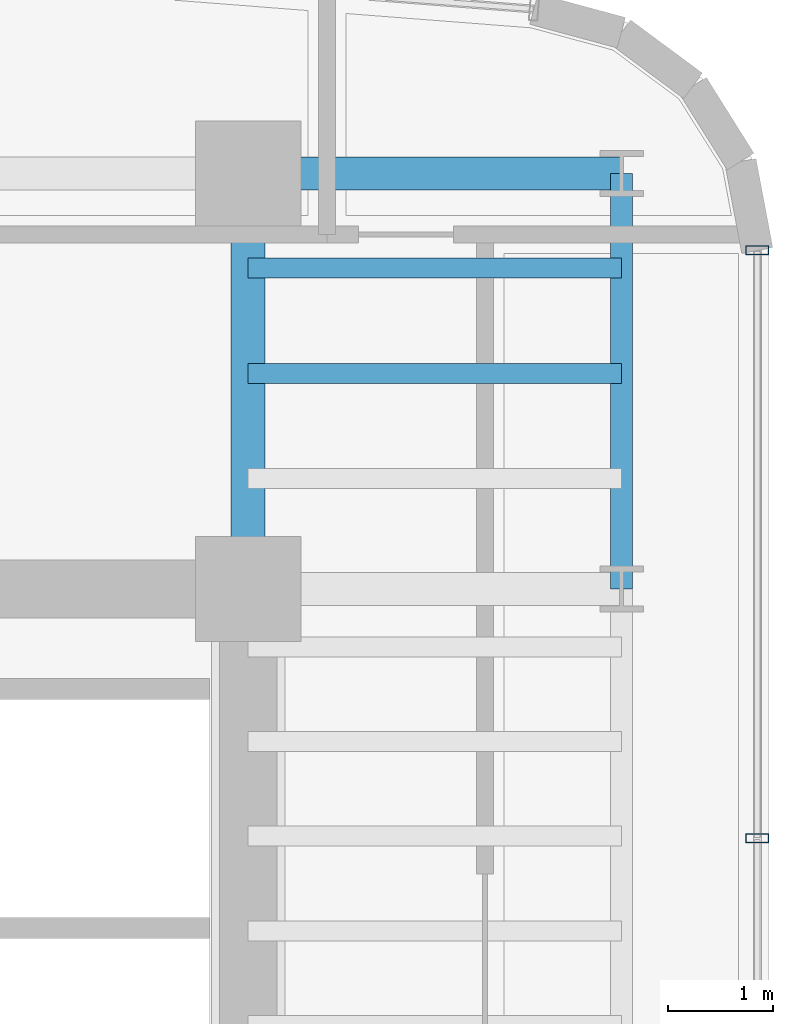
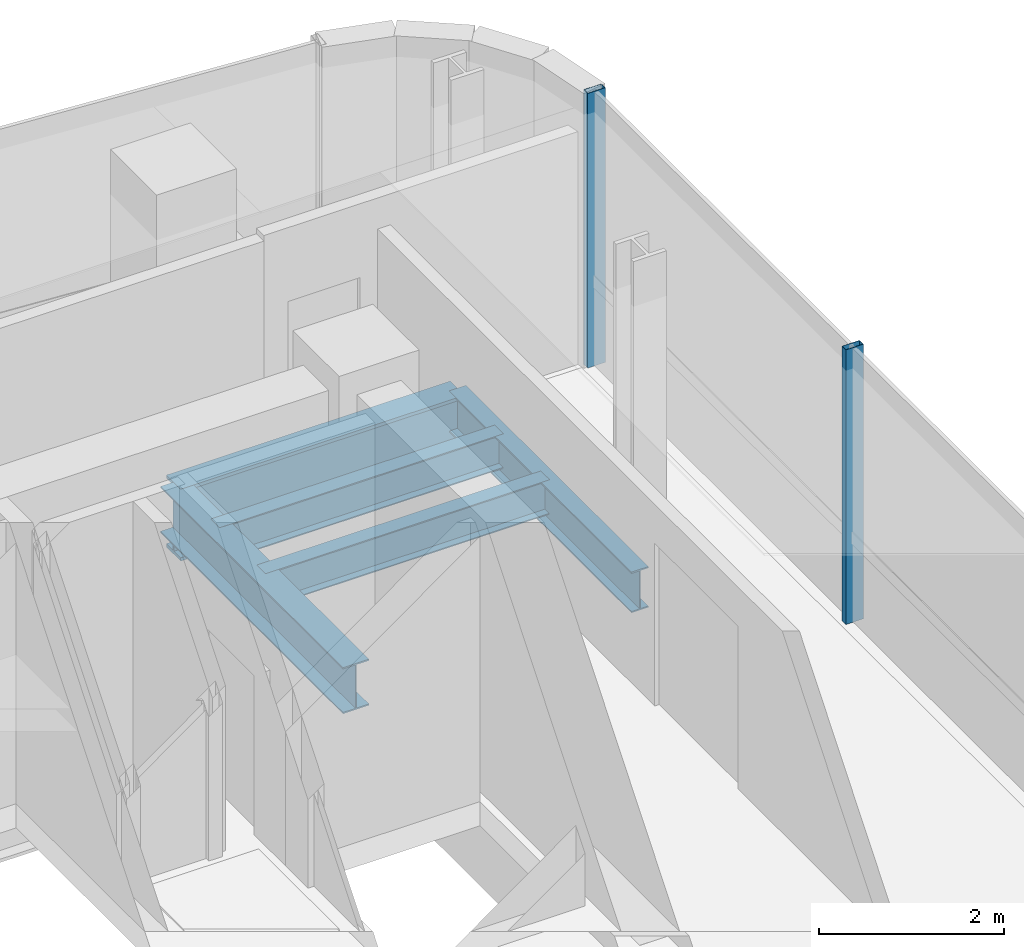
# One storey, part 17 of 39: 5 beams, 2 members, 1 element without a shape of its own.
"""IFC4 building model written with IfcOpenShell, lengths in metres."""

from ifc_helpers import new_model, si_unit, direction, frame, origin, origin_2d, place, context, subcontext, project, spatial, hollow_rectangle, i_section, extrude, source, transform, mapped, material, material_profile, profile_set, type_object, element, aggregate, save


model = new_model("IFC4")

# Units and contexts
model_context = context("Model", 3, precision=1e-05, world=origin(), true_north=direction((0.0, 1.0)))
body_context = subcontext(model_context, "Body", "Model", "MODEL_VIEW")
ifc_project = project(units=[si_unit("LENGTHUNIT", "METRE"), si_unit("AREAUNIT", "SQUARE_METRE"), si_unit("VOLUMEUNIT", "CUBIC_METRE"), si_unit("PLANEANGLEUNIT", "RADIAN"), si_unit("MASSUNIT", "GRAM", prefix="KILO")], contexts=[model_context])

# Site, building, storey
site_placement = place(None, origin())
site = spatial("IfcSite", under=ifc_project, at=site_placement, CompositionType="ELEMENT")
building_placement = place(site_placement, origin())
building = spatial("IfcBuilding", under=site, at=building_placement, Name="Valdorenza Pilgrim Sanctuary Tower", CompositionType="ELEMENT")
storey_placement = place(building_placement, frame((0.0, 0.0, 184.449951171875)))
storey = spatial("IfcBuildingStorey", under=building, at=storey_placement, Name="L47", CompositionType="ELEMENT", Elevation=184.449951171875)

# Beams
ifc_material_1 = material(Name="Steel ASTM A992 Grade 50", Category="steel")
ifc_material_profile_1 = material_profile(ifc_material_1, i_section(OverallWidth=0.323974609375, OverallDepth=0.611083984375, WebThickness=0.0126953125, FlangeThickness=0.01904296875, at=origin_2d()), Name="W24X104")
ifc_profile_set_1 = profile_set([ifc_material_profile_1], Name="Steel ASTM A992 Grade 50")
beam_type_1 = type_object("IfcBeamType", Name="STR-BM-GRD-W24B", PredefinedType="BEAM", material=ifc_profile_set_1)
shared_shape_1 = source(origin(), body_context, "Body", "SweptSolid", [
    extrude(i_section(OverallWidth=0.323974609375, OverallDepth=0.611083984375, WebThickness=0.0126953125, FlangeThickness=0.01904296875, at=origin_2d()), origin(), (0.0, 0.0, 1.0), 3.949951171875),
])
beam_1_placement = place(storey_placement, frame((24.85009765625, 9.550048828125, -0.62548828125), z_axis=(0.0, 1.0, 0.0), x_axis=(-1.0, 0.0, 0.0)))
element("IfcBeam", 1, at=beam_1_placement, inside=storey, type_object=beam_type_1, Name="L47 Core Tie Girder CB-E-N1N2", PredefinedType="BEAM", context=body_context, shape_type="MappedRepresentation", body=[
    mapped(shared_shape_1, transform((0.0, 0.0, 0.0), x_axis=(1.0, 0.0, 0.0), y_axis=(0.0, 1.0, 0.0), z_axis=(0.0, 0.0, 1.0), scale=1.0)),
])
ifc_material_profile_2 = material_profile(ifc_material_1, i_section(OverallWidth=0.19091796875, OverallDepth=0.45703125, WebThickness=0.009033203125, FlangeThickness=0.014404296875, at=origin_2d()), Name="W18X50")
ifc_profile_set_2 = profile_set([ifc_material_profile_2], Name="Steel ASTM A992 Grade 50")
beam_type_2 = type_object("IfcBeamType", Name="STR-BM-JST-W18B", PredefinedType="JOIST", material=ifc_profile_set_2)
shared_shape_2 = source(origin(), body_context, "Body", "SweptSolid", [
    extrude(i_section(OverallWidth=0.19091796875, OverallDepth=0.45703125, WebThickness=0.009033203125, FlangeThickness=0.014404296875, at=origin_2d()), origin(), (0.0, 0.0, 1.0), 3.5498046875),
])
for number, where, z_axis, x_axis, name in (
    (2, (24.85009765625, 11.60009765625, -0.54833984375), (1.0, 0.0, 0.0), (0.0, 1.0, 0.0), "L47 Composite Floor Joist JST-WB-20"),
    (3, (24.85009765625, 12.60009765625, -0.54833984375), (1.0, 0.0, 0.0), (0.0, 1.0, 0.0), "L47 Composite Floor Joist JST-WB-21"),
):
    element("IfcBeam", number, at=place(storey_placement, frame(where, z_axis=z_axis, x_axis=x_axis)), inside=storey, type_object=beam_type_2, Name=name, PredefinedType="JOIST", context=body_context, shape_type="MappedRepresentation", body=[
        mapped(shared_shape_2, transform((0.0, 0.0, 0.0), x_axis=(1.0, 0.0, 0.0), y_axis=(0.0, 1.0, 0.0), z_axis=(0.0, 0.0, 1.0), scale=1.0)),
    ])
ifc_material_profile_3 = material_profile(ifc_material_1, i_section(OverallWidth=0.2109375, OverallDepth=0.5390625, WebThickness=0.01171875, FlangeThickness=0.018798828125, at=origin_2d()), Name="W21X73")
ifc_profile_set_3 = profile_set([ifc_material_profile_3], Name="Steel ASTM A992 Grade 50")
beam_type_3 = type_object("IfcBeamType", Name="STR-BM-SPN-W21B", PredefinedType="SPANDREL", material=ifc_profile_set_3)
shared_shape_3 = source(origin(), body_context, "Body", "SweptSolid", [
    extrude(i_section(OverallWidth=0.2109375, OverallDepth=0.5390625, WebThickness=0.01171875, FlangeThickness=0.018798828125, at=origin_2d()), origin(), (0.0, 0.0, 1.0), 3.949951171875),
])
beam_2_placement = place(storey_placement, frame((28.39990234375, 9.550048828125, -0.58935546875), z_axis=(0.0, 1.0, 0.0), x_axis=(-1.0, 0.0, 0.0)))
element("IfcBeam", 4, at=beam_2_placement, inside=storey, type_object=beam_type_3, Name="L47 Spandrel Beam WB-E-N1N2", PredefinedType="SPANDREL", context=body_context, shape_type="MappedRepresentation", body=[
    mapped(shared_shape_3, transform((0.0, 0.0, 0.0), x_axis=(1.0, 0.0, 0.0), y_axis=(0.0, 1.0, 0.0), z_axis=(0.0, 0.0, 1.0), scale=1.0)),
])
ifc_material_profile_4 = material_profile(ifc_material_1, i_section(OverallWidth=0.31005859375, OverallDepth=0.949951171875, WebThickness=0.0244140625, FlangeThickness=0.0439453125, at=origin_2d()), Name="W36X256")
ifc_profile_set_4 = profile_set([ifc_material_profile_4], Name="Steel ASTM A992 Grade 50")
beam_type_4 = type_object("IfcBeamType", Name="STR-BM-GRD-W36B", PredefinedType="BEAM", material=ifc_profile_set_4)
shared_shape_4 = source(origin(), body_context, "Body", "SweptSolid", [
    extrude(i_section(OverallWidth=0.31005859375, OverallDepth=0.949951171875, WebThickness=0.0244140625, FlangeThickness=0.0439453125, at=origin_2d()), origin(), (0.0, 0.0, 1.0), 3.5498046875),
])
beam_3_placement = place(storey_placement, frame((24.85009765625, 13.5, -0.794921875), z_axis=(1.0, 0.0, 0.0), x_axis=(0.0, 1.0, 0.0)))
element("IfcBeam", 5, at=beam_3_placement, inside=storey, type_object=beam_type_4, Name="L47 Floor Girder WB-XE-N2", PredefinedType="BEAM", context=body_context, shape_type="MappedRepresentation", body=[
    mapped(shared_shape_4, transform((0.0, 0.0, 0.0), x_axis=(1.0, 0.0, 0.0), y_axis=(0.0, 1.0, 0.0), z_axis=(0.0, 0.0, 1.0), scale=1.0)),
])

# Curtain wall, members
ifc_material_2 = material(Name="Curtain-wall IGU glazing", Category="glass")
curtain_wall_type = type_object("IfcCurtainWallType", Name="CW-SYS-03", PredefinedType="NOTDEFINED", material=ifc_material_2)
curtain_wall_placement = place(storey_placement, origin())
curtain_wall = element("IfcCurtainWall", 6, at=curtain_wall_placement, inside=storey, type_object=curtain_wall_type, Name="L47 Curtain Wall CW-L47-1-37", PredefinedType="NOTDEFINED")
ifc_material_3 = material(Name="Anodised aluminium AW-6060", Category="aluminium")
ifc_material_profile_5 = material_profile(ifc_material_3, hollow_rectangle(XDim=0.0849609375, YDim=0.219970703125, WallThickness=0.0048828125, at=origin_2d()), Name="ALU-M 220x85x5")
ifc_profile_set_5 = profile_set([ifc_material_profile_5], Name="Anodised aluminium AW-6060")
member_type = type_object("IfcMemberType", Name="CW-MUL-03", PredefinedType="MULLION", material=ifc_profile_set_5)
shared_shape_5 = source(origin(), body_context, "Body", "SweptSolid", [
    extrude(hollow_rectangle(XDim=0.0849609375, YDim=0.219970703125, WallThickness=0.0048828125, at=origin_2d()), origin(), (0.0, 0.0, 1.0), 3.630126953125),
])
member_1_placement = place(storey_placement, frame((29.68994140625, 12.768310546875, 0.0), z_axis=(0.0, 0.0, 1.0), x_axis=(0.0, -1.0, 0.0)))
member_1 = element("IfcMember", 7, at=member_1_placement, type_object=member_type, Name="CW-L47-1-37 Mullion 1", PredefinedType="MULLION", context=body_context, shape_type="MappedRepresentation", body=[
    mapped(shared_shape_5, transform((0.0, 0.0, 0.0), x_axis=(1.0, 0.0, 0.0), y_axis=(0.0, 1.0, 0.0), z_axis=(0.0, 0.0, 1.0), scale=1.0)),
])
member_2_placement = place(storey_placement, frame((29.68994140625, 7.178955078125, 0.0), z_axis=(0.0, 0.0, 1.0), x_axis=(0.0, -1.0, 0.0)))
member_2 = element("IfcMember", 8, at=member_2_placement, type_object=member_type, Name="CW-L47-1-37 Mullion 2", PredefinedType="MULLION", context=body_context, shape_type="MappedRepresentation", body=[
    mapped(shared_shape_5, transform((0.0, 0.0, 0.0), x_axis=(1.0, 0.0, 0.0), y_axis=(0.0, 1.0, 0.0), z_axis=(0.0, 0.0, 1.0), scale=1.0)),
])
aggregate(curtain_wall, [member_1, member_2])

save(model, "model.ifc")
